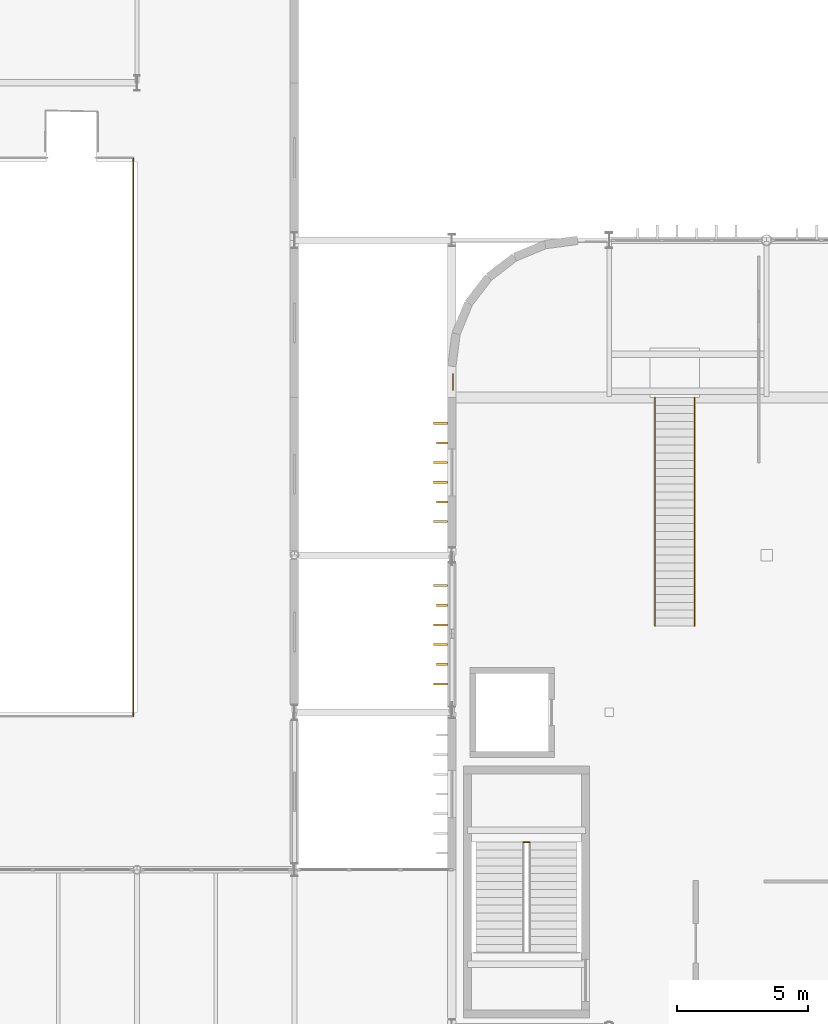
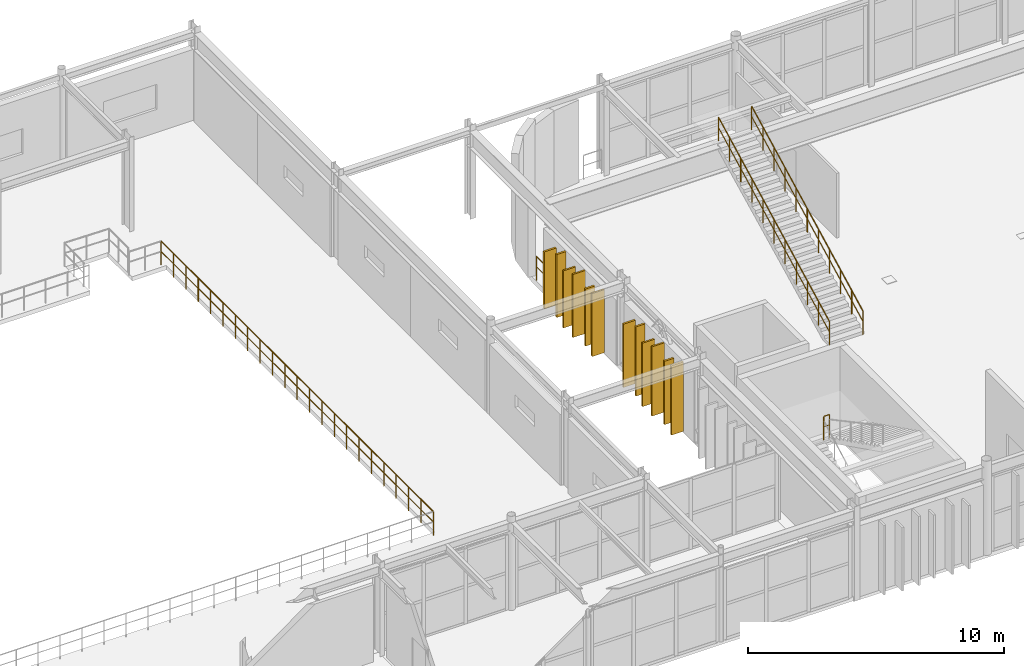
# One storey, part 77 of 84: 12 coverings, 5 railings.
"""IFC4 building model written with IfcOpenShell, lengths in metres."""

import ifcopenshell
import ifcopenshell.guid

model = None  # the IFC model being written
_history = None  # IfcOwnerHistory: only IFC2X3 demands one
_inside = {}  # id of a spatial element -> (the spatial element, [elements in it])
_under = {}  # id of a project, library or spatial element -> (it, [spatial elements below it])
_declared = {}  # id of a project -> (the project, [libraries it declares])
_typed = {}  # id of a type object -> (the type object, [elements of that type])
_made_of = {}  # id of a material, layer set ... -> (it, [elements and type objects made of it])


def new_model(schema):
    """Start an empty IFC model of exactly this schema.

    Asked for "IFC4X3", IfcOpenShell would pick the latest addendum, in which some entities
    have other attributes; the version numbers below select the first issue.
    IFC2X3 requires an IfcOwnerHistory on every rooted entity: one is made here for all.
    """
    global model, _history
    if schema == "IFC4X3":
        model = ifcopenshell.file(schema_version=(4, 3, 0, 0))
    else:
        model = ifcopenshell.file(schema=schema)
    _inside.clear()
    _under.clear()
    _declared.clear()
    _typed.clear()
    _made_of.clear()
    _history = None
    if model.schema == "IFC2X3":
        org = make("IfcOrganization", Name="unknown")
        user = make(
            "IfcPersonAndOrganization",
            ThePerson=make("IfcPerson", FamilyName="unknown"),
            TheOrganization=org,
        )
        app = make(
            "IfcApplication",
            ApplicationDeveloper=org,
            Version="unknown",
            ApplicationFullName="unknown",
            ApplicationIdentifier="unknown",
        )
        _history = make(
            "IfcOwnerHistory",
            OwningUser=user,
            OwningApplication=app,
            ChangeAction="ADDED",
            CreationDate=0,
        )
    return model


def make(cls, **values):
    """One entity of the class cls with the attributes given. An attribute that is None is left unset."""
    return model.create_entity(
        cls, **{name: value for name, value in values.items() if value is not None}
    )


def rooted(cls, **values):
    """An entity with a GlobalId (a new one), such as an element, a storey or a relation."""
    return make(cls, GlobalId=ifcopenshell.guid.new(), OwnerHistory=_history, **values)


def si_unit(unit_type, name, prefix=None):
    """IfcSIUnit, for example si_unit("LENGTHUNIT", "METRE", prefix="MILLI")."""
    return make("IfcSIUnit", UnitType=unit_type, Prefix=prefix, Name=name)


def assignment(units):
    """IfcUnitAssignment: the units of a project."""
    return None if units is None else make("IfcUnitAssignment", Units=units)


def point(xyz):
    """IfcCartesianPoint."""
    return None if xyz is None else make("IfcCartesianPoint", Coordinates=xyz)


def direction(xyz):
    """IfcDirection."""
    return None if xyz is None else make("IfcDirection", DirectionRatios=xyz)


def frame(location, z_axis=None, x_axis=None):
    """IfcAxis2Placement3D, a coordinate frame: its origin and axes. An axis left out is left unset."""
    return make(
        "IfcAxis2Placement3D",
        Location=point(location),
        Axis=direction(z_axis),
        RefDirection=direction(x_axis),
    )


def frame_2d(location, x_axis=None):
    """IfcAxis2Placement2D, a coordinate frame in the plane: its origin and x axis."""
    return make(
        "IfcAxis2Placement2D", Location=point(location), RefDirection=direction(x_axis)
    )


def origin():
    """The frame at (0, 0, 0) with its axes left unset."""
    return frame((0.0, 0.0, 0.0))


def origin_2d():
    """The frame at (0, 0) in the plane with its x axis left unset."""
    return frame_2d((0.0, 0.0))


def place(relative_to, where):
    """IfcLocalPlacement: puts the frame where relative to a parent placement (None: the world)."""
    return make(
        "IfcLocalPlacement", PlacementRelTo=relative_to, RelativePlacement=where
    )


def context(
    kind, dimensions, precision=None, world=None, true_north=None, identifier=None
):
    """IfcGeometricRepresentationContext, for example the 3D "Model" context."""
    return make(
        "IfcGeometricRepresentationContext",
        ContextIdentifier=identifier,
        ContextType=kind,
        CoordinateSpaceDimension=dimensions,
        Precision=precision,
        WorldCoordinateSystem=world,
        TrueNorth=true_north,
    )


def subcontext(parent, identifier, kind, view, scale=None):
    """IfcGeometricRepresentationSubContext, for example "Body" below "Model"."""
    return make(
        "IfcGeometricRepresentationSubContext",
        ContextIdentifier=identifier,
        ContextType=kind,
        ParentContext=parent,
        TargetScale=scale,
        TargetView=view,
    )


def project(units=None, contexts=None):
    """IfcProject with its units and contexts."""
    return rooted(
        "IfcProject",
        Name="project",
        RepresentationContexts=contexts,
        UnitsInContext=assignment(units),
    )


def spatial(cls, under=None, at=None, **own):
    """A site, building, storey or space (cls), placed at a placement, below another one or the project."""
    s = rooted(cls, ObjectPlacement=at, **own)
    if under is not None:
        _under.setdefault(under.id(), (under, []))[1].append(s)
    return s


def profile(cls, at=None, kind="AREA", **sizes):
    """A parametric profile (cls). Its sizes go by their IFC names, for example OverallWidth=200.0."""
    return make(cls, ProfileType=kind, Position=at, **sizes)


def rectangle(**sizes):
    """IfcRectangleProfileDef."""
    return profile("IfcRectangleProfileDef", **sizes)


def circle(**sizes):
    """IfcCircleProfileDef."""
    return profile("IfcCircleProfileDef", **sizes)


def extrude(swept, where, along, depth):
    """IfcExtrudedAreaSolid: the profile swept, set in the frame where, extruded along a direction by depth."""
    return make(
        "IfcExtrudedAreaSolid",
        SweptArea=swept,
        Position=where,
        ExtrudedDirection=direction(along),
        Depth=depth,
    )


def shape(context_of_items, identifier, shape_type, items):
    """IfcShapeRepresentation: the items that make up one representation, for example the "Body"."""
    return make(
        "IfcShapeRepresentation",
        ContextOfItems=context_of_items,
        RepresentationIdentifier=identifier,
        RepresentationType=shape_type,
        Items=items,
    )


def material(Name=None, Category=None):
    """IfcMaterial."""
    return make("IfcMaterial", Name=Name, Category=Category)


def layer(
    of_material, thickness, ventilated=None, Name=None, Category=None, Priority=None
):
    """IfcMaterialLayer: one layer of a wall or slab, of a material (None: an air gap)."""
    return make(
        "IfcMaterialLayer",
        Material=of_material,
        LayerThickness=thickness,
        IsVentilated=ventilated,
        Name=Name,
        Category=Category,
        Priority=Priority,
    )


def layer_set(layers, Name=None):
    """IfcMaterialLayerSet."""
    return make("IfcMaterialLayerSet", MaterialLayers=layers, LayerSetName=Name)


def made_of(thing, what):
    """Note that an element or type object is made of a material, layer set ...; save() writes the relation."""
    if what is not None:
        _made_of.setdefault(what.id(), (what, []))[1].append(thing)
    return thing


def type_object(cls, material=None, **own):
    """A type object (cls), such as IfcWallType, which elements share."""
    return made_of(rooted(cls, **own), material)


def element(
    cls,
    number,
    at=None,
    inside=None,
    cuts=None,
    type_object=None,
    material=None,
    context=None,
    identifier="Body",
    shape_type=None,
    held_by="IfcProductDefinitionShape",
    body=None,
    shapes=None,
    **own,
):
    """One element of the class cls, such as IfcWall. Its Tag is "e" and its number.

    at: its placement. inside: the storey or other place that contains it. cuts: it is an
    opening in that element (IfcRelVoidsElement). A single representation is given by context,
    identifier, shape_type and body (its items); several are given by shapes. held_by: the class
    of the entity that holds the representations. save() writes the other relations.
    """
    e = rooted(cls, Tag="e%d" % number, ObjectPlacement=at, **own)
    if body is not None:
        shapes = [shape(context, identifier, shape_type, body)]
    if shapes is not None:
        e.Representation = make(held_by, Representations=shapes)
    if inside is not None:
        _inside.setdefault(inside.id(), (inside, []))[1].append(e)
    if cuts is not None:
        rooted(
            "IfcRelVoidsElement", RelatingBuildingElement=cuts, RelatedOpeningElement=e
        )
    if type_object is not None:
        _typed.setdefault(type_object.id(), (type_object, []))[1].append(e)
    return made_of(e, material)


def aggregate(whole, parts):
    """IfcRelAggregates: a whole, such as a stair, and the parts it consists of."""
    return rooted("IfcRelAggregates", RelatingObject=whole, RelatedObjects=parts)


def save(model, path):
    """Write the relations noted so far, then the file.

    IfcRelAggregates (storeys below a building ...), IfcRelContainedInSpatialStructure (elements
    in a storey), IfcRelDefinesByType, IfcRelAssociatesMaterial and IfcRelDeclares: one each for
    every whole, place, type object, material and project.
    """
    for whole, parts in _under.values():
        aggregate(whole, parts)
    for where, things in _inside.values():
        rooted(
            "IfcRelContainedInSpatialStructure",
            RelatedElements=things,
            RelatingStructure=where,
        )
    for kind, things in _typed.values():
        rooted("IfcRelDefinesByType", RelatedObjects=things, RelatingType=kind)
    for what, things in _made_of.values():
        rooted("IfcRelAssociatesMaterial", RelatedObjects=things, RelatingMaterial=what)
    for by, libraries in _declared.values():
        rooted("IfcRelDeclares", RelatingContext=by, RelatedDefinitions=libraries)
    model.write(path)


model = new_model("IFC4")

# Units and contexts
model_context = context("Model", 3, precision=1e-05, world=origin(), true_north=direction((0.0, 1.0)))
body_context = subcontext(model_context, "Body", "Model", "MODEL_VIEW")
ifc_project = project(units=[si_unit("LENGTHUNIT", "METRE"), si_unit("AREAUNIT", "SQUARE_METRE"), si_unit("VOLUMEUNIT", "CUBIC_METRE"), si_unit("PLANEANGLEUNIT", "RADIAN"), si_unit("MASSUNIT", "GRAM", prefix="KILO")], contexts=[model_context])

# Site, building, storey
site_placement = place(None, origin())
site = spatial("IfcSite", under=ifc_project, at=site_placement, CompositionType="ELEMENT")
building_placement = place(site_placement, origin())
building = spatial("IfcBuilding", under=site, at=building_placement, Name="Varnakota Square Police Headquarters", CompositionType="ELEMENT")
storey_placement = place(building_placement, frame((0.0, 0.0, 13.5)))
storey = spatial("IfcBuildingStorey", under=building, at=storey_placement, Name="L03", CompositionType="ELEMENT", Elevation=13.5)

# Coverings
ifc_material_1 = material(Name="White Anodised Aluminium Vertical Facade Blade 420", Category="aluminium")
ifc_layer_1 = layer(ifc_material_1, 0.0849609375, Name="White Anodised Aluminium Vertical Facade Blade 420")
ifc_layer_set_1 = layer_set([ifc_layer_1], Name="White Anodised Aluminium Vertical Facade Blade 420")
covering_type_1 = type_object("IfcCoveringType", Name="COV-FIN-420", PredefinedType="CLADDING", material=ifc_layer_set_1)
covering_1_placement = place(storey_placement, frame((59.635009765625, 82.83740234375, 0.0400390625), z_axis=(0.0, 0.0, 1.0), x_axis=(0.0, 1.0, 0.0)))
element("IfcCovering", 1, at=covering_1_placement, inside=storey, type_object=covering_type_1, Name="Vertical aluminium facade fin FIN-1350", PredefinedType="CLADDING", context=body_context, shape_type="SweptSolid", body=[
    extrude(rectangle(XDim=0.0849609375, YDim=0.419921875, at=origin_2d()), origin(), (0.0, 0.0, 1.0), 3.030029296875),
])
covering_2_placement = place(storey_placement, frame((59.635009765625, 85.08740234375, 0.0400390625), z_axis=(0.0, 0.0, 1.0), x_axis=(0.0, 1.0, 0.0)))
element("IfcCovering", 2, at=covering_2_placement, inside=storey, type_object=covering_type_1, Name="Vertical aluminium facade fin FIN-1353", PredefinedType="CLADDING", context=body_context, shape_type="SweptSolid", body=[
    extrude(rectangle(XDim=0.0849609375, YDim=0.419921875, at=origin_2d()), origin(), (0.0, 0.0, 1.0), 3.31005859375),
])
covering_3_placement = place(storey_placement, frame((59.635009765625, 89.027099609375, 0.0400390625), z_axis=(0.0, 0.0, 1.0), x_axis=(0.0, 1.0, 0.0)))
element("IfcCovering", 3, at=covering_3_placement, inside=storey, type_object=covering_type_1, Name="Vertical aluminium facade fin FIN-1356", PredefinedType="CLADDING", context=body_context, shape_type="SweptSolid", body=[
    extrude(rectangle(XDim=0.0849609375, YDim=0.419921875, at=origin_2d()), origin(), (0.0, 0.0, 1.0), 2.72998046875),
])
covering_4_placement = place(storey_placement, frame((59.635009765625, 91.277099609375, 0.0400390625), z_axis=(0.0, 0.0, 1.0), x_axis=(0.0, 1.0, 0.0)))
element("IfcCovering", 4, at=covering_4_placement, inside=storey, type_object=covering_type_1, Name="Vertical aluminium facade fin FIN-1359", PredefinedType="CLADDING", context=body_context, shape_type="SweptSolid", body=[
    extrude(rectangle(XDim=0.0849609375, YDim=0.419921875, at=origin_2d()), origin(), (0.0, 0.0, 1.0), 3.010009765625),
])
ifc_material_2 = material(Name="White Anodised Aluminium Vertical Facade Blade 550", Category="aluminium")
ifc_layer_2 = layer(ifc_material_2, 0.0849609375, Name="White Anodised Aluminium Vertical Facade Blade 550")
ifc_layer_set_2 = layer_set([ifc_layer_2], Name="White Anodised Aluminium Vertical Facade Blade 550")
covering_type_2 = type_object("IfcCoveringType", Name="COV-FIN-550", PredefinedType="CLADDING", material=ifc_layer_set_2)
for number, where, z_axis, x_axis, name in (
    (5, (59.570068359375, 82.08740234375, 0.0400390625), (0.0, 0.0, 1.0), (0.0, 1.0, 0.0), "Vertical aluminium facade fin FIN-1349"),
    (6, (59.570068359375, 83.58740234375, 0.0400390625), (0.0, 0.0, 1.0), (0.0, 1.0, 0.0), "Vertical aluminium facade fin FIN-1351"),
):
    element("IfcCovering", number, at=place(storey_placement, frame(where, z_axis=z_axis, x_axis=x_axis)), inside=storey, type_object=covering_type_2, Name=name, PredefinedType="CLADDING", context=body_context, shape_type="SweptSolid", body=[
        extrude(rectangle(XDim=0.0849609375, YDim=0.550048828125, at=origin_2d()), origin(), (0.0, 0.0, 1.0), 3.31005859375),
    ])
for number, where, z_axis, x_axis, name in (
    (7, (59.570068359375, 84.33740234375, 0.0400390625), (0.0, 0.0, 1.0), (0.0, 1.0, 0.0), "Vertical aluminium facade fin FIN-1352"),
    (8, (59.570068359375, 85.83740234375, 0.0400390625), (0.0, 0.0, 1.0), (0.0, 1.0, 0.0), "Vertical aluminium facade fin FIN-1354"),
):
    element("IfcCovering", number, at=place(storey_placement, frame(where, z_axis=z_axis, x_axis=x_axis)), inside=storey, type_object=covering_type_2, Name=name, PredefinedType="CLADDING", context=body_context, shape_type="SweptSolid", body=[
        extrude(rectangle(XDim=0.0849609375, YDim=0.550048828125, at=origin_2d()), origin(), (0.0, 0.0, 1.0), 3.030029296875),
    ])
for number, where, z_axis, x_axis, name in (
    (9, (59.570068359375, 88.277099609375, 0.0400390625), (0.0, 0.0, 1.0), (0.0, 1.0, 0.0), "Vertical aluminium facade fin FIN-1355"),
    (10, (59.570068359375, 89.777099609375, 0.0400390625), (0.0, 0.0, 1.0), (0.0, 1.0, 0.0), "Vertical aluminium facade fin FIN-1357"),
):
    element("IfcCovering", number, at=place(storey_placement, frame(where, z_axis=z_axis, x_axis=x_axis)), inside=storey, type_object=covering_type_2, Name=name, PredefinedType="CLADDING", context=body_context, shape_type="SweptSolid", body=[
        extrude(rectangle(XDim=0.0849609375, YDim=0.550048828125, at=origin_2d()), origin(), (0.0, 0.0, 1.0), 3.010009765625),
    ])
for number, where, z_axis, x_axis, name in (
    (11, (59.570068359375, 90.527099609375, 0.0400390625), (0.0, 0.0, 1.0), (0.0, 1.0, 0.0), "Vertical aluminium facade fin FIN-1358"),
    (12, (59.570068359375, 92.027099609375, 0.0400390625), (0.0, 0.0, 1.0), (0.0, 1.0, 0.0), "Vertical aluminium facade fin FIN-1360"),
):
    element("IfcCovering", number, at=place(storey_placement, frame(where, z_axis=z_axis, x_axis=x_axis)), inside=storey, type_object=covering_type_2, Name=name, PredefinedType="CLADDING", context=body_context, shape_type="SweptSolid", body=[
        extrude(rectangle(XDim=0.0849609375, YDim=0.550048828125, at=origin_2d()), origin(), (0.0, 0.0, 1.0), 2.72998046875),
    ])

# Railings
ifc_material_3 = material(Name="Galvanised Powder-Coated Steel Guardrail", Category="steel")
railing_type_1 = type_object("IfcRailingType", Name="RL-BAL-1150", PredefinedType="BALUSTRADE", material=ifc_material_3)
railing_1_placement = place(storey_placement, frame((60.050048828125, 93.29541015625, 0.0)))
element("IfcRailing", 13, at=railing_1_placement, inside=storey, type_object=railing_type_1, Name="Perimeter edge safety guard GD-AUTO-L03-071", PredefinedType="BALUSTRADE", context=body_context, shape_type="SweptSolid", body=[
    extrude(circle(Radius=0.02392578125, at=origin_2d()), frame((0.0, 0.0, 1.1259765625), z_axis=(0.0, 1.0, 0.0), x_axis=(-1.0, 0.0, 0.0)), (0.0, 0.0, 1.0), 0.60888671875),
    extrude(circle(Radius=0.01806640625, at=origin_2d()), frame((0.0, 0.0, 0.63232421875), z_axis=(0.0, 1.0, 0.0), x_axis=(-1.0, 0.0, 0.0)), (0.0, 0.0, 1.0), 0.60888671875),
    extrude(circle(Radius=0.02099609375, at=origin_2d()), origin(), (0.0, 0.0, 1.0), 1.101806640625),
    extrude(circle(Radius=0.02099609375, at=origin_2d()), frame((0.0, 0.60888671875, 0.0)), (0.0, 0.0, 1.0), 1.101806640625),
])
ifc_material_4 = material(Name="Brushed Stainless Steel Tubular Handrail", Category="steel")
railing_type_2 = type_object("IfcRailingType", Name="RL-HND-920", PredefinedType="HANDRAIL", material=ifc_material_4)
railing_2_placement = place(storey_placement, frame((67.75, 84.298583984375, 0.0)))
element("IfcRailing", 14, at=railing_2_placement, inside=storey, type_object=railing_type_2, Name="Feature stair guard-handrail ST-CMD1-L", PredefinedType="HANDRAIL", context=body_context, shape_type="SweptSolid", body=[
    extrude(circle(Radius=0.02392578125, at=origin_2d()), frame((0.0, 0.0, 1.1259765625), z_axis=(0.0, 0.888248150883, 0.459363932468), x_axis=(-1.0, 0.0, 0.0)), (0.0, 0.0, 1.0), 9.796142578125),
    extrude(circle(Radius=0.01806640625, at=origin_2d()), frame((0.0, 0.0, 0.63232421875), z_axis=(0.0, 0.888248150883, 0.459363932468), x_axis=(-1.0, 0.0, 0.0)), (0.0, 0.0, 1.0), 9.796142578125),
    extrude(circle(Radius=0.02099609375, at=origin_2d()), origin(), (0.0, 0.0, 1.0), 1.101806640625),
    extrude(circle(Radius=0.02099609375, at=origin_2d()), frame((0.0, 0.8701171875, 0.449951171875)), (0.0, 0.0, 1.0), 1.101806640625),
    extrude(circle(Radius=0.02099609375, at=origin_2d()), frame((0.0, 1.740234375, 0.89990234375)), (0.0, 0.0, 1.0), 1.101806640625),
    extrude(circle(Radius=0.02099609375, at=origin_2d()), frame((0.0, 2.6103515625, 1.35009765625)), (0.0, 0.0, 1.0), 1.101806640625),
    extrude(circle(Radius=0.02099609375, at=origin_2d()), frame((0.0, 3.48046875, 1.800048828125)), (0.0, 0.0, 1.0), 1.101806640625),
    extrude(circle(Radius=0.02099609375, at=origin_2d()), frame((0.0, 4.3505859375, 2.25)), (0.0, 0.0, 1.0), 1.101806640625),
    extrude(circle(Radius=0.02099609375, at=origin_2d()), frame((0.0, 5.220947265625, 2.699951171875)), (0.0, 0.0, 1.0), 1.101806640625),
    extrude(circle(Radius=0.02099609375, at=origin_2d()), frame((0.0, 6.091064453125, 3.14990234375)), (0.0, 0.0, 1.0), 1.101806640625),
    extrude(circle(Radius=0.02099609375, at=origin_2d()), frame((0.0, 6.961181640625, 3.60009765625)), (0.0, 0.0, 1.0), 1.101806640625),
    extrude(circle(Radius=0.02099609375, at=origin_2d()), frame((0.0, 7.831298828125, 4.050048828125)), (0.0, 0.0, 1.0), 1.101806640625),
    extrude(circle(Radius=0.02099609375, at=origin_2d()), frame((0.0, 8.701416015625, 4.5)), (0.0, 0.0, 1.0), 1.101806640625),
])
railing_3_placement = place(storey_placement, frame((69.25, 84.298583984375, 0.0)))
element("IfcRailing", 15, at=railing_3_placement, inside=storey, type_object=railing_type_2, Name="Feature stair guard-handrail ST-CMD1-R", PredefinedType="HANDRAIL", context=body_context, shape_type="SweptSolid", body=[
    extrude(circle(Radius=0.02392578125, at=origin_2d()), frame((0.0, 0.0, 1.1259765625), z_axis=(0.0, 0.888248150883, 0.459363932468), x_axis=(-1.0, 0.0, 0.0)), (0.0, 0.0, 1.0), 9.796142578125),
    extrude(circle(Radius=0.01806640625, at=origin_2d()), frame((0.0, 0.0, 0.63232421875), z_axis=(0.0, 0.888248150883, 0.459363932468), x_axis=(-1.0, 0.0, 0.0)), (0.0, 0.0, 1.0), 9.796142578125),
    extrude(circle(Radius=0.02099609375, at=origin_2d()), origin(), (0.0, 0.0, 1.0), 1.101806640625),
    extrude(circle(Radius=0.02099609375, at=origin_2d()), frame((0.0, 0.8701171875, 0.449951171875)), (0.0, 0.0, 1.0), 1.101806640625),
    extrude(circle(Radius=0.02099609375, at=origin_2d()), frame((0.0, 1.740234375, 0.89990234375)), (0.0, 0.0, 1.0), 1.101806640625),
    extrude(circle(Radius=0.02099609375, at=origin_2d()), frame((0.0, 2.6103515625, 1.35009765625)), (0.0, 0.0, 1.0), 1.101806640625),
    extrude(circle(Radius=0.02099609375, at=origin_2d()), frame((0.0, 3.48046875, 1.800048828125)), (0.0, 0.0, 1.0), 1.101806640625),
    extrude(circle(Radius=0.02099609375, at=origin_2d()), frame((0.0, 4.3505859375, 2.25)), (0.0, 0.0, 1.0), 1.101806640625),
    extrude(circle(Radius=0.02099609375, at=origin_2d()), frame((0.0, 5.220947265625, 2.699951171875)), (0.0, 0.0, 1.0), 1.101806640625),
    extrude(circle(Radius=0.02099609375, at=origin_2d()), frame((0.0, 6.091064453125, 3.14990234375)), (0.0, 0.0, 1.0), 1.101806640625),
    extrude(circle(Radius=0.02099609375, at=origin_2d()), frame((0.0, 6.961181640625, 3.60009765625)), (0.0, 0.0, 1.0), 1.101806640625),
    extrude(circle(Radius=0.02099609375, at=origin_2d()), frame((0.0, 7.831298828125, 4.050048828125)), (0.0, 0.0, 1.0), 1.101806640625),
    extrude(circle(Radius=0.02099609375, at=origin_2d()), frame((0.0, 8.701416015625, 4.5)), (0.0, 0.0, 1.0), 1.101806640625),
])
ifc_material_5 = material(Name="Laminated Glass and Stainless Steel Balustrade", Category="steel")
railing_type_3 = type_object("IfcRailingType", Name="RL-INT-1150", PredefinedType="BALUSTRADE", material=ifc_material_5)
railing_4_placement = place(storey_placement, frame((62.719970703125, 76.05078125, 2.25)))
element("IfcRailing", 16, at=railing_4_placement, inside=storey, type_object=railing_type_3, Name="Half-landing well guard C6 L03", PredefinedType="BALUSTRADE", context=body_context, shape_type="SweptSolid", body=[
    extrude(circle(Radius=0.02392578125, at=origin_2d()), frame((0.0, 0.0, 1.1259765625), z_axis=(1.0, 0.0, 0.0), x_axis=(0.0, 1.0, 0.0)), (0.0, 0.0, 1.0), 0.260009765625),
    extrude(circle(Radius=0.01806640625, at=origin_2d()), frame((0.0, 0.0, 0.63232421875), z_axis=(1.0, 0.0, 0.0), x_axis=(0.0, 1.0, 0.0)), (0.0, 0.0, 1.0), 0.260009765625),
    extrude(circle(Radius=0.02099609375, at=origin_2d()), origin(), (0.0, 0.0, 1.0), 1.101806640625),
    extrude(circle(Radius=0.02099609375, at=origin_2d()), frame((0.260009765625, 0.0, 0.0)), (0.0, 0.0, 1.0), 1.101806640625),
])
railing_5_placement = place(storey_placement, frame((47.85009765625, 80.85009765625, 0.0)))
element("IfcRailing", 17, at=railing_5_placement, inside=storey, type_object=railing_type_3, Name="Gymnasium upper gallery balustrade", PredefinedType="BALUSTRADE", context=body_context, shape_type="SweptSolid", body=[
    extrude(circle(Radius=0.02392578125, at=origin_2d()), frame((0.0, 0.0, 1.1259765625), z_axis=(0.0, 1.0, 0.0), x_axis=(-1.0, 0.0, 0.0)), (0.0, 0.0, 1.0), 21.2998046875),
    extrude(circle(Radius=0.01806640625, at=origin_2d()), frame((0.0, 0.0, 0.63232421875), z_axis=(0.0, 1.0, 0.0), x_axis=(-1.0, 0.0, 0.0)), (0.0, 0.0, 1.0), 21.2998046875),
    extrude(circle(Radius=0.02099609375, at=origin_2d()), origin(), (0.0, 0.0, 1.0), 1.101806640625),
    extrude(circle(Radius=0.02099609375, at=origin_2d()), frame((0.0, 0.96826171875, 0.0)), (0.0, 0.0, 1.0), 1.101806640625),
    extrude(circle(Radius=0.02099609375, at=origin_2d()), frame((0.0, 1.936279296875, 0.0)), (0.0, 0.0, 1.0), 1.101806640625),
    extrude(circle(Radius=0.02099609375, at=origin_2d()), frame((0.0, 2.904541015625, 0.0)), (0.0, 0.0, 1.0), 1.101806640625),
    extrude(circle(Radius=0.02099609375, at=origin_2d()), frame((0.0, 3.872802734375, 0.0)), (0.0, 0.0, 1.0), 1.101806640625),
    extrude(circle(Radius=0.02099609375, at=origin_2d()), frame((0.0, 4.8408203125, 0.0)), (0.0, 0.0, 1.0), 1.101806640625),
    extrude(circle(Radius=0.02099609375, at=origin_2d()), frame((0.0, 5.80908203125, 0.0)), (0.0, 0.0, 1.0), 1.101806640625),
    extrude(circle(Radius=0.02099609375, at=origin_2d()), frame((0.0, 6.777099609375, 0.0)), (0.0, 0.0, 1.0), 1.101806640625),
    extrude(circle(Radius=0.02099609375, at=origin_2d()), frame((0.0, 7.745361328125, 0.0)), (0.0, 0.0, 1.0), 1.101806640625),
    extrude(circle(Radius=0.02099609375, at=origin_2d()), frame((0.0, 8.713623046875, 0.0)), (0.0, 0.0, 1.0), 1.101806640625),
    extrude(circle(Radius=0.02099609375, at=origin_2d()), frame((0.0, 9.681640625, 0.0)), (0.0, 0.0, 1.0), 1.101806640625),
    extrude(circle(Radius=0.02099609375, at=origin_2d()), frame((0.0, 10.64990234375, 0.0)), (0.0, 0.0, 1.0), 1.101806640625),
    extrude(circle(Radius=0.02099609375, at=origin_2d()), frame((0.0, 11.6181640625, 0.0)), (0.0, 0.0, 1.0), 1.101806640625),
    extrude(circle(Radius=0.02099609375, at=origin_2d()), frame((0.0, 12.586181640625, 0.0)), (0.0, 0.0, 1.0), 1.101806640625),
    extrude(circle(Radius=0.02099609375, at=origin_2d()), frame((0.0, 13.554443359375, 0.0)), (0.0, 0.0, 1.0), 1.101806640625),
    extrude(circle(Radius=0.02099609375, at=origin_2d()), frame((0.0, 14.522705078125, 0.0)), (0.0, 0.0, 1.0), 1.101806640625),
    extrude(circle(Radius=0.02099609375, at=origin_2d()), frame((0.0, 15.49072265625, 0.0)), (0.0, 0.0, 1.0), 1.101806640625),
    extrude(circle(Radius=0.02099609375, at=origin_2d()), frame((0.0, 16.458984375, 0.0)), (0.0, 0.0, 1.0), 1.101806640625),
    extrude(circle(Radius=0.02099609375, at=origin_2d()), frame((0.0, 17.427001953125, 0.0)), (0.0, 0.0, 1.0), 1.101806640625),
    extrude(circle(Radius=0.02099609375, at=origin_2d()), frame((0.0, 18.395263671875, 0.0)), (0.0, 0.0, 1.0), 1.101806640625),
    extrude(circle(Radius=0.02099609375, at=origin_2d()), frame((0.0, 19.363525390625, 0.0)), (0.0, 0.0, 1.0), 1.101806640625),
    extrude(circle(Radius=0.02099609375, at=origin_2d()), frame((0.0, 20.33154296875, 0.0)), (0.0, 0.0, 1.0), 1.101806640625),
    extrude(circle(Radius=0.02099609375, at=origin_2d()), frame((0.0, 21.2998046875, 0.0)), (0.0, 0.0, 1.0), 1.101806640625),
])

save(model, "model.ifc")
